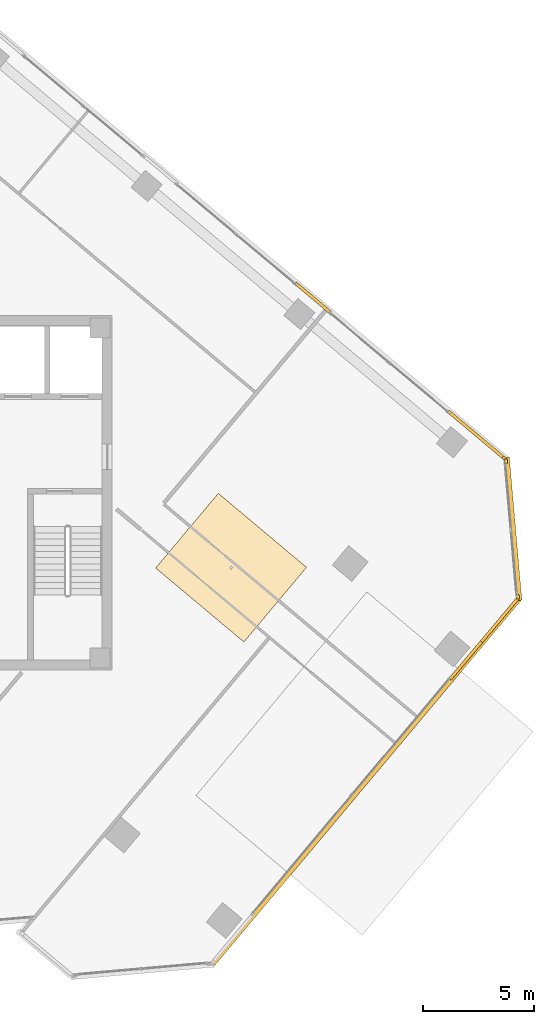
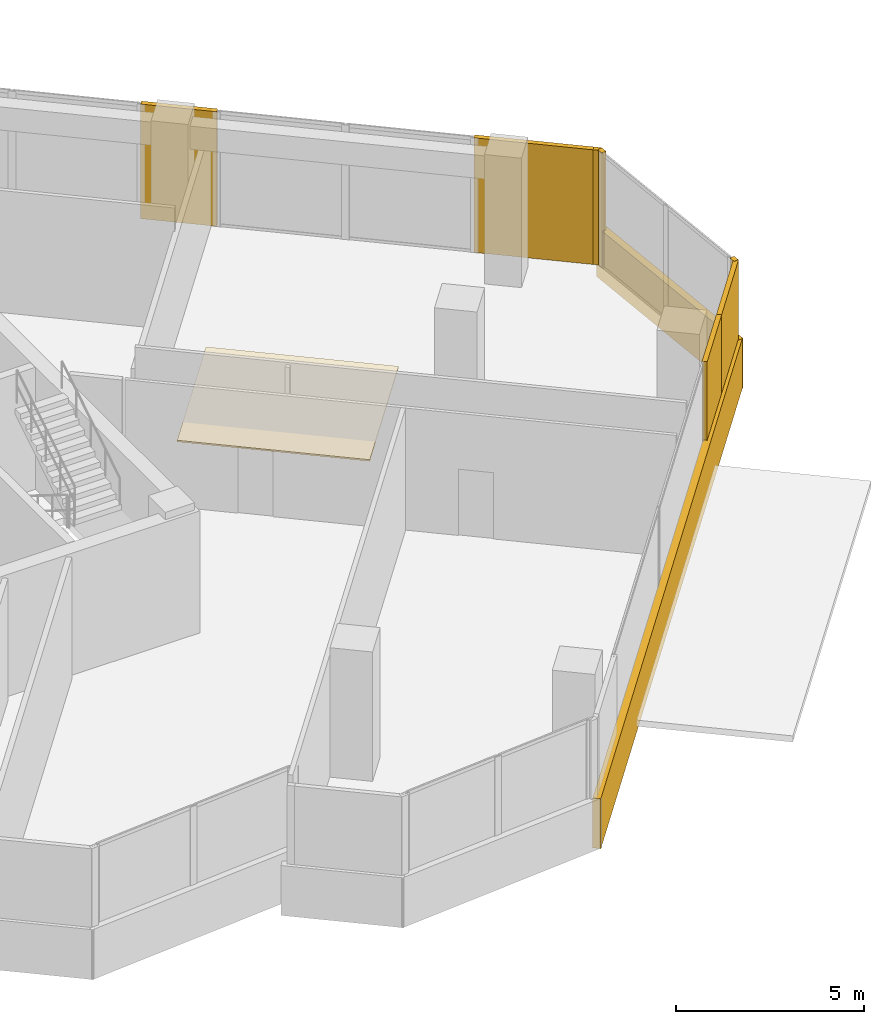
# One storey, part 16 of 17: 10 coverings.
"""IFC4 building model written with IfcOpenShell, lengths in metres."""

from ifc_helpers import new_model, si_unit, direction, frame, origin, origin_2d, place, context, subcontext, project, spatial, polyline, rectangle, outline, extrude, source, transform, mapped, material, layer, layer_set, type_object, element, save


model = new_model("IFC4")

# Units and contexts
model_context = context("Model", 3, precision=1e-05, world=origin(), true_north=direction((0.0, 1.0)))
body_context = subcontext(model_context, "Body", "Model", "MODEL_VIEW")
ifc_project = project(units=[si_unit("LENGTHUNIT", "METRE"), si_unit("AREAUNIT", "SQUARE_METRE"), si_unit("VOLUMEUNIT", "CUBIC_METRE"), si_unit("PLANEANGLEUNIT", "RADIAN"), si_unit("MASSUNIT", "GRAM", prefix="KILO")], contexts=[model_context])

# Site, building, storey
site_placement = place(None, origin())
site = spatial("IfcSite", under=ifc_project, at=site_placement, CompositionType="ELEMENT")
building_placement = place(site_placement, origin())
building = spatial("IfcBuilding", under=site, at=building_placement, Name="Torre Montelarca", CompositionType="ELEMENT")
storey_placement = place(building_placement, frame((0.0, 0.0, 220.60009765625)))
storey = spatial("IfcBuildingStorey", under=building, at=storey_placement, Name="L49", CompositionType="ELEMENT", Elevation=220.60009765625)

# Coverings
ifc_material_1 = material(Name="Micro-perforated walnut timber acoustic slat", Category="wood")
ifc_layer_1 = layer(ifc_material_1, 0.050048828125, Name="Micro-perforated walnut timber acoustic slat", Category="wood")
ifc_layer_set_1 = layer_set([ifc_layer_1], Name="Micro-perforated walnut timber acoustic slat")
covering_type_1 = type_object("IfcCoveringType", Name="COV-CEIL-WD2", PredefinedType="CEILING", material=ifc_layer_set_1)
covering_1_placement = place(storey_placement, frame((0.0, 0.0, 2.719970703125)))
element("IfcCovering", 1, at=covering_1_placement, inside=storey, type_object=covering_type_1, Name="L49 Acoustic Suspended Ceiling 01", PredefinedType="CEILING", context=body_context, shape_type="SweptSolid", body=[
    extrude(outline(polyline([(28.9658203125, 28.607421875), (32.94921875, 25.264892578125), (35.777587890625, 28.635498046875), (31.794189453125, 31.977783203125), (28.9658203125, 28.607421875)])), origin(), (0.0, 0.0, 1.0), 0.050048828125),
])
ifc_material_2 = material(Name="Bush-hammered warm white precast concrete C45/55", Category="concrete")
ifc_layer_2 = layer(ifc_material_2, 0.139892578125, Name="Bush-hammered warm white precast concrete C45/55", Category="concrete")
ifc_layer_set_2 = layer_set([ifc_layer_2], Name="Bush-hammered warm white precast concrete C45/55")
covering_type_2 = type_object("IfcCoveringType", Name="COV-TRAY-CLAD", PredefinedType="CLADDING", material=ifc_layer_set_2)
shared_shape_1 = source(origin(), body_context, "Body", "SweptSolid", [
    extrude(rectangle(XDim=6.48388671875, YDim=0.219970703125, at=origin_2d()), origin(), (0.0, 0.0, 1.0), 1.6201171875),
])
covering_2_placement = place(storey_placement, frame((45.106689453125, 30.374267578125, -0.4501953125), z_axis=(0.0, 0.0, 1.0), x_axis=(-0.087162697497, 0.996194089606, 0.0)))
element("IfcCovering", 2, at=covering_2_placement, inside=storey, type_object=covering_type_2, Name="L49 Architectural White Spandrel Tray Band TRYBOT-07", PredefinedType="CLADDING", context=body_context, shape_type="MappedRepresentation", body=[
    mapped(shared_shape_1, transform((0.0, 0.0, 0.0), scale=1.0)),
])
shared_shape_2 = source(origin(), body_context, "Body", "SweptSolid", [
    extrude(rectangle(XDim=0.199951171875, YDim=0.139892578125, at=origin_2d()), origin(), (0.0, 0.0, 1.0), 3.719970703125),
])
for number, where, z_axis, x_axis, name in (
    (3, (45.314208984375, 27.314697265625, 0.0), (0.0, 0.0, 1.0), (-0.087176606982, 0.996192872488, 0.0), "L49 Architectural Column Pier Cladding E07-1"),
    (4, (44.77978515625, 33.423583984375, 0.0), (0.0, 0.0, 1.0), (-0.087176606982, 0.996192872488, 0.0), "L49 Architectural Column Pier Cladding E07-2"),
    (5, (44.712646484375, 33.55224609375, 0.0), (0.0, 0.0, 1.0), (-0.766043321242, 0.642788946685, 0.0), "L49 Architectural Column Pier Cladding E08-1"),
):
    element("IfcCovering", number, at=place(storey_placement, frame(where, z_axis=z_axis, x_axis=x_axis)), inside=storey, type_object=covering_type_2, Name=name, PredefinedType="CLADDING", context=body_context, shape_type="MappedRepresentation", body=[
        mapped(shared_shape_2, transform((0.0, 0.0, 0.0), scale=1.0)),
    ])
shared_shape_3 = source(origin(), body_context, "Body", "SweptSolid", [
    extrude(rectangle(XDim=2.2099609375, YDim=0.139892578125, at=origin_2d()), origin(), (0.0, 0.0, 1.0), 3.719970703125),
])
covering_3_placement = place(storey_placement, frame((42.966796875, 24.430419921875, 0.0), z_axis=(0.0, 0.0, 1.0), x_axis=(0.642787609687, 0.766044443119, 0.0)))
element("IfcCovering", 6, at=covering_3_placement, inside=storey, type_object=covering_type_2, Name="L49 Architectural Column Pier Cladding E06-3", PredefinedType="CLADDING", context=body_context, shape_type="MappedRepresentation", body=[
    mapped(shared_shape_3, transform((0.0, 0.0, 0.0), scale=1.0)),
])
shared_shape_4 = source(origin(), body_context, "Body", "SweptSolid", [
    extrude(rectangle(XDim=2.67919921875, YDim=0.139892578125, at=origin_2d()), origin(), (0.0, 0.0, 1.0), 3.719970703125),
])
covering_4_placement = place(storey_placement, frame((44.473876953125, 26.2265625, 0.0), z_axis=(0.0, 0.0, 1.0), x_axis=(0.642787609687, 0.766044443119, 0.0)))
element("IfcCovering", 7, at=covering_4_placement, inside=storey, type_object=covering_type_2, Name="L49 Architectural Column Pier Cladding E06-4", PredefinedType="CLADDING", context=body_context, shape_type="MappedRepresentation", body=[
    mapped(shared_shape_4, transform((0.0, 0.0, 0.0), scale=1.0)),
])
shared_shape_5 = source(origin(), body_context, "Body", "SweptSolid", [
    extrude(rectangle(XDim=2.06005859375, YDim=0.139892578125, at=origin_2d()), origin(), (0.0, 0.0, 1.0), 3.719970703125),
])
covering_5_placement = place(storey_placement, frame((36.068603515625, 40.8056640625, 0.0), z_axis=(0.0, 0.0, 1.0), x_axis=(-0.766043321242, 0.642788946685, 0.0)))
element("IfcCovering", 8, at=covering_5_placement, inside=storey, type_object=covering_type_2, Name="L49 Architectural Column Pier Cladding E08-3", PredefinedType="CLADDING", context=body_context, shape_type="MappedRepresentation", body=[
    mapped(shared_shape_5, transform((0.0, 0.0, 0.0), scale=1.0)),
])
shared_shape_6 = source(origin(), body_context, "Body", "SweptSolid", [
    extrude(rectangle(XDim=3.314208984375, YDim=0.139892578125, at=origin_2d()), origin(), (0.0, 0.0, 1.0), 3.719970703125),
])
covering_6_placement = place(storey_placement, frame((43.443359375, 34.617431640625, 0.0), z_axis=(0.0, 0.0, 1.0), x_axis=(-0.766043321242, 0.642788946685, 0.0)))
element("IfcCovering", 9, at=covering_6_placement, inside=storey, type_object=covering_type_2, Name="L49 Architectural Column Pier Cladding E08-2", PredefinedType="CLADDING", context=body_context, shape_type="MappedRepresentation", body=[
    mapped(shared_shape_6, transform((0.0, 0.0, 0.0), scale=1.0)),
])
shared_shape_7 = source(origin(), body_context, "Body", "SweptSolid", [
    extrude(rectangle(XDim=21.719970703125, YDim=0.219970703125, at=origin_2d()), origin(), (0.0, 0.0, 1.0), 1.6201171875),
])
covering_7_placement = place(storey_placement, frame((38.448974609375, 18.953125, -0.4501953125), z_axis=(0.0, 0.0, 1.0), x_axis=(0.642786272686, 0.766045564994, 0.0)))
element("IfcCovering", 10, at=covering_7_placement, inside=storey, type_object=covering_type_2, Name="L49 Architectural White Spandrel Tray Band TRYBOT-06", PredefinedType="CLADDING", context=body_context, shape_type="MappedRepresentation", body=[
    mapped(shared_shape_7, transform((0.0, 0.0, 0.0), scale=1.0)),
])

save(model, "model.ifc")
